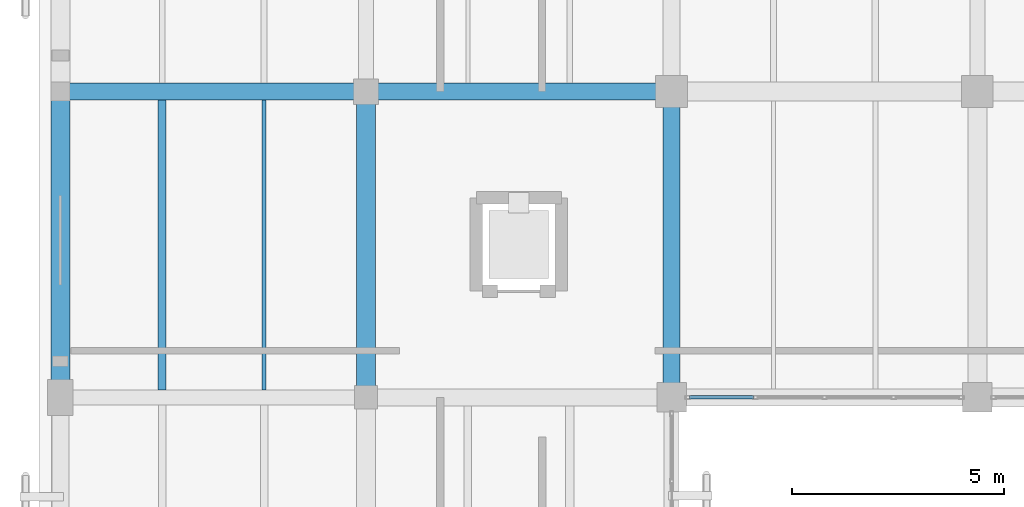
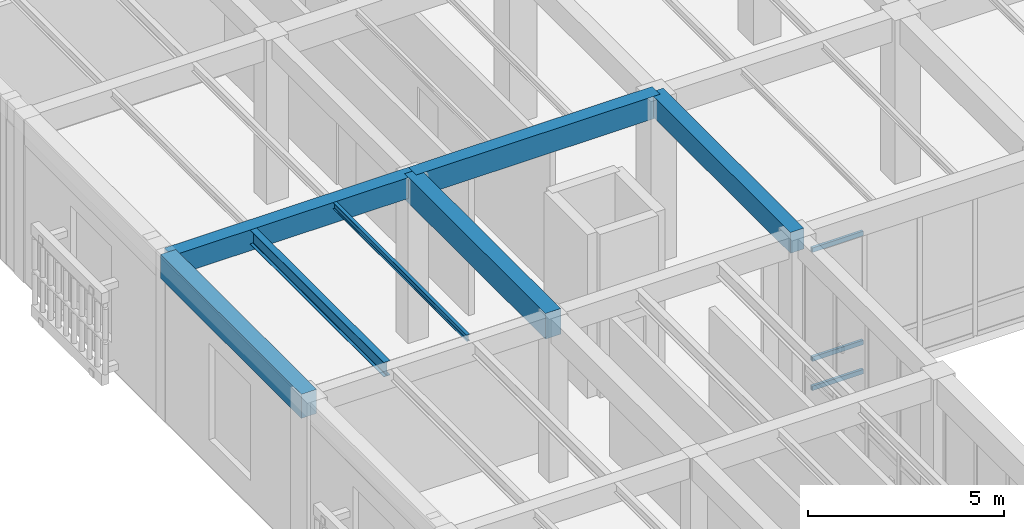
# One storey, part 57 of 169: 7 beams, 3 members, 1 element without a shape of its own.
"""IFC4 building model written with IfcOpenShell, lengths in metres."""

from ifc_helpers import new_model, si_unit, direction, frame, origin, origin_2d, place, context, subcontext, project, spatial, rectangle, hollow_rectangle, i_section, extrude, material, layer, layer_set, material_profile, profile_set, type_object, element, aggregate, save


model = new_model("IFC4")

# Units and contexts
model_context = context("Model", 3, precision=1e-05, world=origin(), true_north=direction((0.0, 1.0)))
body_context = subcontext(model_context, "Body", "Model", "MODEL_VIEW")
ifc_project = project(units=[si_unit("LENGTHUNIT", "METRE"), si_unit("AREAUNIT", "SQUARE_METRE"), si_unit("VOLUMEUNIT", "CUBIC_METRE"), si_unit("PLANEANGLEUNIT", "RADIAN"), si_unit("MASSUNIT", "GRAM", prefix="KILO")], contexts=[model_context])

# Site, building, storey
site_placement = place(None, origin())
site = spatial("IfcSite", under=ifc_project, at=site_placement, CompositionType="ELEMENT")
building_placement = place(site_placement, origin())
building = spatial("IfcBuilding", under=site, at=building_placement, Name="Mazaris Harbour Polytechnic", CompositionType="ELEMENT")
storey_placement = place(building_placement, origin())
storey = spatial("IfcBuildingStorey", under=building, at=storey_placement, Name="L00", CompositionType="ELEMENT", Elevation=0.0)

# Curtain wall, members
ifc_material_1 = material(Name="Anodised Bronze Aluminium and Low-E Glass", Category="aluminium")
ifc_layer = layer(ifc_material_1, 0.159912109375, Name="Anodised Bronze Aluminium and Low-E Glass")
ifc_layer_set = layer_set([ifc_layer], Name="Anodised Bronze Aluminium and Low-E Glass")
curtain_wall_type = type_object("IfcCurtainWallType", Name="Cloister Court Curtain Wall", PredefinedType="NOTDEFINED", material=ifc_layer_set)
curtain_wall_placement = place(storey_placement, origin())
curtain_wall = element("IfcCurtainWall", 1, at=curtain_wall_placement, inside=storey, type_object=curtain_wall_type, Name="V4 L00 Curtain Wall 101", PredefinedType="NOTDEFINED")
ifc_material_2 = material(Name="Anodised Bronze Steel S355", Category="steel")
ifc_material_profile_1 = material_profile(ifc_material_2, hollow_rectangle(XDim=0.080078125, YDim=0.139892578125, WallThickness=0.00634765625, at=origin_2d()), Name="RHS 80x140x6.3")
ifc_profile_set_1 = profile_set([ifc_material_profile_1], Name="Anodised Bronze Steel S355")
member_type = type_object("IfcMemberType", Name="Curtain Transom RHS80x140", PredefinedType="USERDEFINED", material=ifc_profile_set_1)
member_1_placement = place(storey_placement, frame((16.3310546875, 68.39990234375, 0.0400390625), z_axis=(-1.0, 0.0, 0.0), x_axis=(0.0, -1.0, 0.0)))
member_1 = element("IfcMember", 2, at=member_1_placement, type_object=member_type, Name="CW-02 transom 4.1", ObjectType="TRANSOM", PredefinedType="USERDEFINED", context=body_context, shape_type="SweptSolid", body=[
    extrude(hollow_rectangle(XDim=0.080078125, YDim=0.139892578125, WallThickness=0.00634765625, at=origin_2d()), origin(), (0.0, 0.0, 1.0), 1.509033203125),
])
member_2_placement = place(storey_placement, frame((16.3310546875, 68.39990234375, 0.949951171875), z_axis=(-1.0, 0.0, 0.0), x_axis=(0.0, -1.0, 0.0)))
member_2 = element("IfcMember", 3, at=member_2_placement, type_object=member_type, Name="CW-02 transom 4.2", ObjectType="TRANSOM", PredefinedType="USERDEFINED", context=body_context, shape_type="SweptSolid", body=[
    extrude(hollow_rectangle(XDim=0.080078125, YDim=0.139892578125, WallThickness=0.00634765625, at=origin_2d()), origin(), (0.0, 0.0, 1.0), 1.509033203125),
])
member_3_placement = place(storey_placement, frame((16.3310546875, 68.39990234375, 4.35009765625), z_axis=(-1.0, 0.0, 0.0), x_axis=(0.0, -1.0, 0.0)))
member_3 = element("IfcMember", 4, at=member_3_placement, type_object=member_type, Name="CW-02 transom 4.3", ObjectType="TRANSOM", PredefinedType="USERDEFINED", context=body_context, shape_type="SweptSolid", body=[
    extrude(hollow_rectangle(XDim=0.080078125, YDim=0.139892578125, WallThickness=0.00634765625, at=origin_2d()), origin(), (0.0, 0.0, 1.0), 1.509033203125),
])
aggregate(curtain_wall, [member_1, member_2, member_3])

# Beams
ifc_material_3 = material(Name="Concrete C35/45", Category="concrete")
ifc_material_profile_2 = material_profile(ifc_material_3, rectangle(XDim=0.39990234375, YDim=0.64990234375, at=origin_2d()), Name="RECT400x650")
ifc_profile_set_2 = profile_set([ifc_material_profile_2], Name="Concrete C35/45")
beam_type_1 = type_object("IfcBeamType", Name="RC Girder 400x650", PredefinedType="BEAM", material=ifc_profile_set_2)
beam_1_placement = place(storey_placement, frame((0.0, 75.60009765625, 4.77490234375), z_axis=(1.0, 0.0, 0.0), x_axis=(0.0, 1.0, 0.0)))
element("IfcBeam", 5, at=beam_1_placement, inside=storey, type_object=beam_type_1, Name="V4 L00 Girder 1401", PredefinedType="BEAM", context=body_context, shape_type="SweptSolid", body=[
    extrude(rectangle(XDim=0.39990234375, YDim=0.64990234375, at=origin_2d()), origin(), (0.0, 0.0, 1.0), 7.199951171875),
])
beam_2_placement = place(storey_placement, frame((14.39990234375, 68.39990234375, 4.77490234375), z_axis=(0.0, 1.0, 0.0), x_axis=(-1.0, 0.0, 0.0)))
element("IfcBeam", 6, at=beam_2_placement, inside=storey, type_object=beam_type_1, Name="V4 L00 Tie Girder 1456", PredefinedType="BEAM", context=body_context, shape_type="SweptSolid", body=[
    extrude(rectangle(XDim=0.39990234375, YDim=0.64990234375, at=origin_2d()), origin(), (0.0, 0.0, 1.0), 7.2001953125),
])
ifc_material_4 = material(Name="Concrete C35/45", Category="concrete")
ifc_material_profile_3 = material_profile(ifc_material_4, rectangle(XDim=0.39990234375, YDim=0.699951171875, at=origin_2d()), Name="RECT400x700")
ifc_profile_set_3 = profile_set([ifc_material_profile_3], Name="Concrete C35/45")
beam_type_2 = type_object("IfcBeamType", Name="RC Girder 400x700", PredefinedType="BEAM", material=ifc_profile_set_3)
beam_3_placement = place(storey_placement, frame((7.199951171875, 75.60009765625, 4.75), z_axis=(1.0, 0.0, 0.0), x_axis=(0.0, 1.0, 0.0)))
element("IfcBeam", 7, at=beam_3_placement, inside=storey, type_object=beam_type_2, Name="V4 L00 Girder 1402", PredefinedType="BEAM", context=body_context, shape_type="SweptSolid", body=[
    extrude(rectangle(XDim=0.39990234375, YDim=0.699951171875, at=origin_2d()), origin(), (0.0, 0.0, 1.0), 7.199951171875),
])
ifc_material_5 = material(Name="Concrete C40/50", Category="concrete")
ifc_material_profile_4 = material_profile(ifc_material_5, rectangle(XDim=0.449951171875, YDim=0.75, at=origin_2d()), Name="RECT450x750")
ifc_profile_set_4 = profile_set([ifc_material_profile_4], Name="Concrete C40/50")
beam_type_3 = type_object("IfcBeamType", Name="RC Girder 450x750 Exterior", PredefinedType="BEAM", material=ifc_profile_set_4)
beam_4_placement = place(storey_placement, frame((0.0, 68.39990234375, 4.72509765625), z_axis=(0.0, 1.0, 0.0), x_axis=(-1.0, 0.0, 0.0)))
element("IfcBeam", 8, at=beam_4_placement, inside=storey, type_object=beam_type_3, Name="V4 L00 Tie Girder 1433", PredefinedType="BEAM", context=body_context, shape_type="SweptSolid", body=[
    extrude(rectangle(XDim=0.449951171875, YDim=0.75, at=origin_2d()), origin(), (0.0, 0.0, 1.0), 7.2001953125),
])
ifc_material_6 = material(Name="Concrete C40/50", Category="concrete")
ifc_material_profile_5 = material_profile(ifc_material_6, rectangle(XDim=0.449951171875, YDim=0.800048828125, at=origin_2d()), Name="RECT450x800")
ifc_profile_set_5 = profile_set([ifc_material_profile_5], Name="Concrete C40/50")
beam_type_4 = type_object("IfcBeamType", Name="RC Girder 450x800", PredefinedType="BEAM", material=ifc_profile_set_5)
beam_5_placement = place(storey_placement, frame((7.199951171875, 68.39990234375, 4.699951171875), z_axis=(0.0, 1.0, 0.0), x_axis=(-1.0, 0.0, 0.0)))
element("IfcBeam", 9, at=beam_5_placement, inside=storey, type_object=beam_type_4, Name="V4 L00 Tie Girder 1444", PredefinedType="BEAM", context=body_context, shape_type="SweptSolid", body=[
    extrude(rectangle(XDim=0.449951171875, YDim=0.800048828125, at=origin_2d()), origin(), (0.0, 0.0, 1.0), 7.2001953125),
])
ifc_material_7 = material(Name="Steel S355", Category="steel")
ifc_material_profile_6 = material_profile(ifc_material_7, i_section(OverallWidth=0.10009765625, OverallDepth=0.199951171875, WebThickness=0.005615234375, FlangeThickness=0.008544921875, FilletRadius=0.011962890625, at=origin_2d()), Name="IPE 200")
ifc_profile_set_6 = profile_set([ifc_material_profile_6], Name="Steel S355")
beam_type_5 = type_object("IfcBeamType", Name="Steel Joist IPE200", PredefinedType="JOIST", material=ifc_profile_set_6)
beam_6_placement = place(storey_placement, frame((4.800048828125, 68.574951171875, 5.0), z_axis=(0.0, 1.0, 0.0), x_axis=(-1.0, 0.0, 0.0)))
element("IfcBeam", 10, at=beam_6_placement, inside=storey, type_object=beam_type_5, Name="V4 L00 Floor Joist 1519", PredefinedType="JOIST", context=body_context, shape_type="SweptSolid", body=[
    extrude(i_section(OverallWidth=0.10009765625, OverallDepth=0.199951171875, WebThickness=0.005615234375, FlangeThickness=0.008544921875, FilletRadius=0.011962890625, at=origin_2d()), origin(), (0.0, 0.0, 1.0), 6.824951171875),
])
ifc_material_8 = material(Name="Steel S355", Category="steel")
ifc_material_profile_7 = material_profile(ifc_material_8, i_section(OverallWidth=0.18994140625, OverallDepth=0.449951171875, WebThickness=0.009521484375, FlangeThickness=0.0146484375, FilletRadius=0.02099609375, at=origin_2d()), Name="IPE 450")
ifc_profile_set_7 = profile_set([ifc_material_profile_7], Name="Steel S355")
beam_type_6 = type_object("IfcBeamType", Name="Steel Joist IPE450", PredefinedType="JOIST", material=ifc_profile_set_7)
beam_7_placement = place(storey_placement, frame((2.39990234375, 68.574951171875, 4.875), z_axis=(0.0, 1.0, 0.0), x_axis=(-1.0, 0.0, 0.0)))
element("IfcBeam", 11, at=beam_7_placement, inside=storey, type_object=beam_type_6, Name="V4 L00 Floor Joist 1518", PredefinedType="JOIST", context=body_context, shape_type="SweptSolid", body=[
    extrude(i_section(OverallWidth=0.18994140625, OverallDepth=0.449951171875, WebThickness=0.009521484375, FlangeThickness=0.0146484375, FilletRadius=0.02099609375, at=origin_2d()), origin(), (0.0, 0.0, 1.0), 6.824951171875),
])

save(model, "model.ifc")
